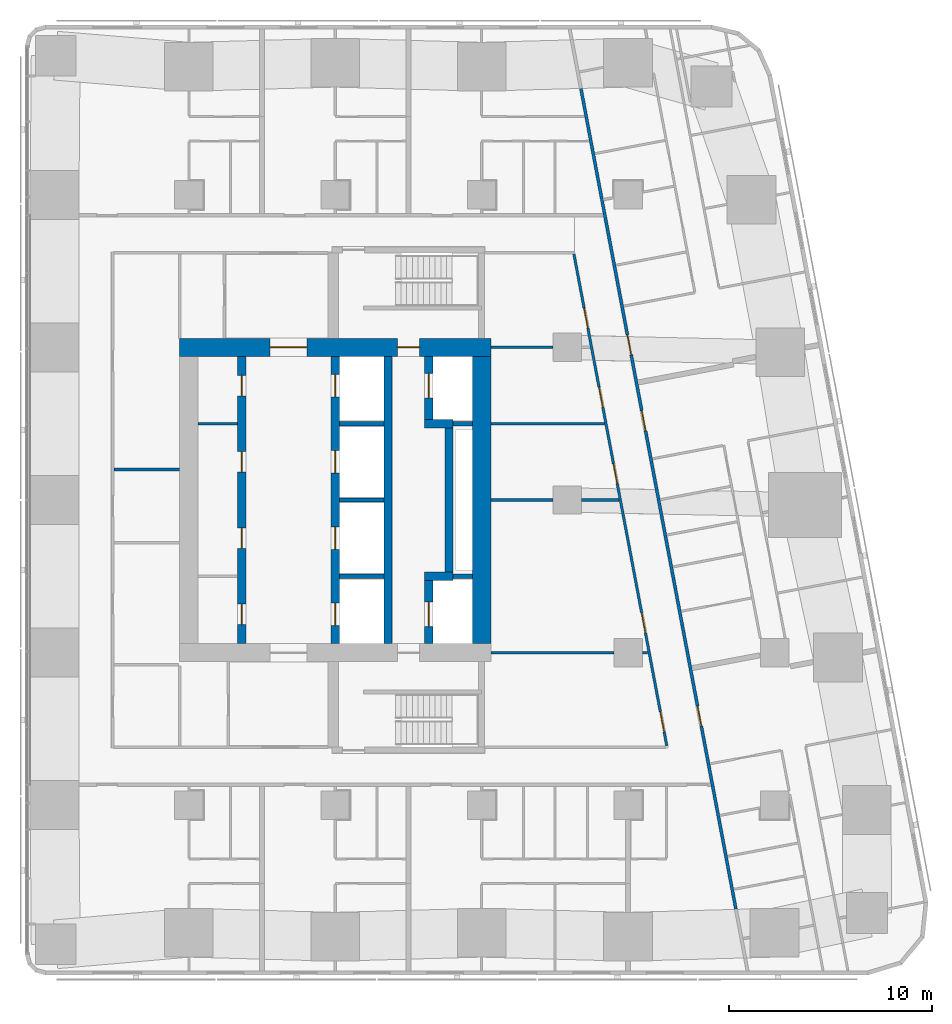
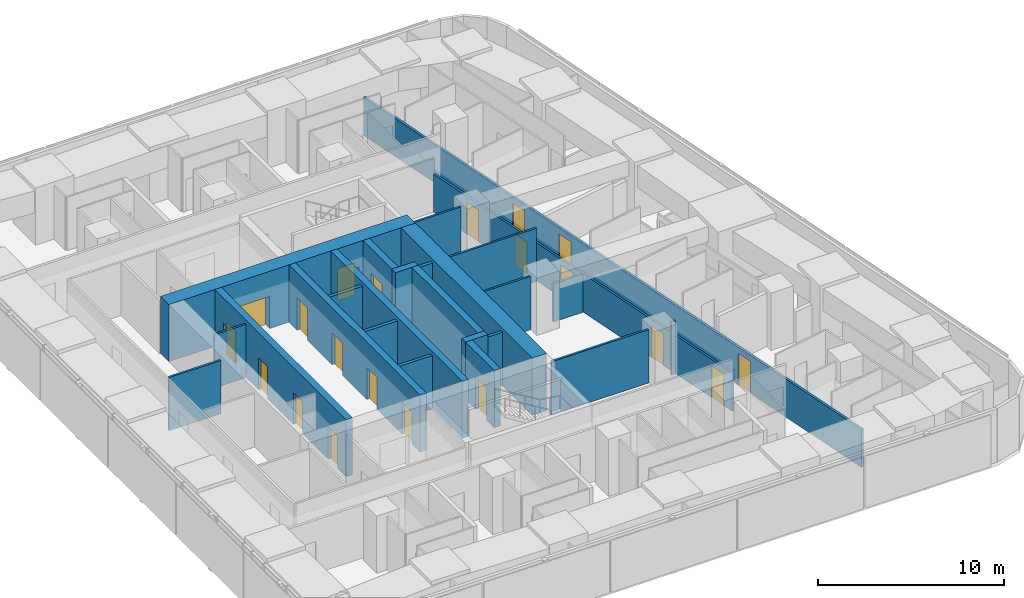
# One storey, part 9 of 17: 25 walls, 20 doors, 20 openings.
"""IFC4 building model written with IfcOpenShell, lengths in metres."""

from ifc_helpers import new_model, si_unit, direction, frame, frame_2d, origin, place, context, subcontext, project, spatial, rectangle, extrude, material, layer, layer_set, type_object, element, fill, save


model = new_model("IFC4")

# Units and contexts
model_context = context("Model", 3, precision=1e-05, world=origin(), true_north=direction((0.0, 1.0)))
body_context = subcontext(model_context, "Body", "Model", "MODEL_VIEW")
ifc_project = project(units=[si_unit("LENGTHUNIT", "METRE"), si_unit("AREAUNIT", "SQUARE_METRE"), si_unit("VOLUMEUNIT", "CUBIC_METRE"), si_unit("PLANEANGLEUNIT", "RADIAN"), si_unit("MASSUNIT", "GRAM", prefix="KILO")], contexts=[model_context])

# Site, building, storey
site_placement = place(None, origin())
site = spatial("IfcSite", under=ifc_project, at=site_placement, CompositionType="ELEMENT")
building_placement = place(site_placement, origin())
building = spatial("IfcBuilding", under=site, at=building_placement, Name="Sheger Commons Tower", CompositionType="ELEMENT")
storey_placement = place(building_placement, frame((0.0, 0.0, 212.449951171875)))
storey = spatial("IfcBuildingStorey", under=building, at=storey_placement, Name="L54", CompositionType="ELEMENT", Elevation=212.449951171875)

# Wall, openings, doors
ifc_material_1 = material(Name="Concrete C50/60", Category="concrete")
ifc_layer_1 = layer(ifc_material_1, 0.39990234375)
ifc_layer_set_1 = layer_set([ifc_layer_1], Name="CORE INNER WALL 400")
wall_type_1 = type_object("IfcWallType", Name="CORE INNER WALL 400", PredefinedType="SHEAR", material=ifc_layer_set_1)
wall_1_placement = place(storey_placement, frame((17.0, 15.449951171875, 0.0), z_axis=(0.0, 0.0, 1.0), x_axis=(0.0, 1.0, 0.0)))
wall_1 = element("IfcWall", 1, at=wall_1_placement, inside=storey, type_object=wall_type_1, Name="Core inner wall A L54", PredefinedType="SHEAR", context=body_context, shape_type="SweptSolid", body=[
    extrude(rectangle(XDim=14.10009765625, YDim=0.39990234375, at=frame_2d((7.050048828125, 0.0))), origin(), (0.0, 0.0, 1.0), 3.75),
])
opening_1_placement = place(wall_1_placement, frame((0.925048828125, 0.0, 0.0)))
opening_1 = element("IfcOpeningElement", 2, at=opening_1_placement, cuts=wall_1, Name="Opening D4", PredefinedType="OPENING", context=body_context, shape_type="SweptSolid", body=[
    extrude(rectangle(XDim=1.0, YDim=2.10009765625, at=frame_2d((0.5, 1.050048828125))), frame((0.0, 0.2099609375, 0.0), z_axis=(0.0, -1.0, 0.0), x_axis=(1.0, 0.0, 0.0)), (0.0, 0.0, 1.0), 0.419921875),
])
opening_2_placement = place(wall_1_placement, frame((4.675048828125, 0.0, 0.0)))
opening_2 = element("IfcOpeningElement", 3, at=opening_2_placement, cuts=wall_1, Name="Opening D4", PredefinedType="OPENING", context=body_context, shape_type="SweptSolid", body=[
    extrude(rectangle(XDim=1.0, YDim=2.10009765625, at=frame_2d((0.5, 1.050048828125))), frame((0.0, 0.2099609375, 0.0), z_axis=(0.0, -1.0, 0.0), x_axis=(1.0, 0.0, 0.0)), (0.0, 0.0, 1.0), 0.419921875),
])
opening_3_placement = place(wall_1_placement, frame((8.425048828125, 0.0, 0.0)))
opening_3 = element("IfcOpeningElement", 4, at=opening_3_placement, cuts=wall_1, Name="Opening D4", PredefinedType="OPENING", context=body_context, shape_type="SweptSolid", body=[
    extrude(rectangle(XDim=1.0, YDim=2.10009765625, at=frame_2d((0.5, 1.050048828125))), frame((0.0, 0.2099609375, 0.0), z_axis=(0.0, -1.0, 0.0), x_axis=(1.0, 0.0, 0.0)), (0.0, 0.0, 1.0), 0.419921875),
])
opening_4_placement = place(wall_1_placement, frame((12.175048828125, 0.0, 0.0)))
opening_4 = element("IfcOpeningElement", 5, at=opening_4_placement, cuts=wall_1, Name="Opening D4", PredefinedType="OPENING", context=body_context, shape_type="SweptSolid", body=[
    extrude(rectangle(XDim=1.0, YDim=2.10009765625, at=frame_2d((0.5, 1.050048828125))), frame((0.0, 0.2099609375, 0.0), z_axis=(0.0, -1.0, 0.0), x_axis=(1.0, 0.0, 0.0)), (0.0, 0.0, 1.0), 0.419921875),
])
ifc_material_2 = material(Name="Steel door set, fire rated", Category="steel")
door_type_1 = type_object("IfcDoorType", Name="SERVICE DOOR 1000x2100", OperationType="NOTDEFINED", PredefinedType="DOOR", material=ifc_material_2)
door_1_placement = place(opening_1_placement, origin())
door_1 = element("IfcDoor", 6, at=door_1_placement, inside=storey, type_object=door_type_1, Name="Staff WC door", OperationType="SINGLE_SWING_LEFT", OverallHeight=2.10009765625, OverallWidth=1.0, PredefinedType="DOOR", context=body_context, shape_type="SweptSolid", body=[
    extrude(rectangle(XDim=1.0, YDim=2.10009765625, at=frame_2d((0.5, 1.050048828125))), frame((0.0, 0.02490234375, 0.0), z_axis=(0.0, -1.0, 0.0), x_axis=(1.0, 0.0, 0.0)), (0.0, 0.0, 1.0), 0.050048828125),
])
fill(opening_1, door_1)
door_2_placement = place(opening_2_placement, origin())
door_2 = element("IfcDoor", 7, at=door_2_placement, inside=storey, type_object=door_type_1, Name="Recycling store door", OperationType="SINGLE_SWING_LEFT", OverallHeight=2.10009765625, OverallWidth=1.0, PredefinedType="DOOR", context=body_context, shape_type="SweptSolid", body=[
    extrude(rectangle(XDim=1.0, YDim=2.10009765625, at=frame_2d((0.5, 1.050048828125))), frame((0.0, 0.02490234375, 0.0), z_axis=(0.0, -1.0, 0.0), x_axis=(1.0, 0.0, 0.0)), (0.0, 0.0, 1.0), 0.050048828125),
])
fill(opening_2, door_2)
door_3_placement = place(opening_3_placement, origin())
door_3 = element("IfcDoor", 8, at=door_3_placement, inside=storey, type_object=door_type_1, Name="Recycling store door", OperationType="SINGLE_SWING_RIGHT", OverallHeight=2.10009765625, OverallWidth=1.0, PredefinedType="DOOR", context=body_context, shape_type="SweptSolid", body=[
    extrude(rectangle(XDim=1.0, YDim=2.10009765625, at=frame_2d((0.5, 1.050048828125))), frame((0.0, 0.02490234375, 0.0), z_axis=(0.0, -1.0, 0.0), x_axis=(1.0, 0.0, 0.0)), (0.0, 0.0, 1.0), 0.050048828125),
])
fill(opening_3, door_3)
door_4_placement = place(opening_4_placement, origin())
door_4 = element("IfcDoor", 9, at=door_4_placement, inside=storey, type_object=door_type_1, Name="IT and telecom room door", OperationType="SINGLE_SWING_RIGHT", OverallHeight=2.10009765625, OverallWidth=1.0, PredefinedType="DOOR", context=body_context, shape_type="SweptSolid", body=[
    extrude(rectangle(XDim=1.0, YDim=2.10009765625, at=frame_2d((0.5, 1.050048828125))), frame((0.0, 0.02490234375, 0.0), z_axis=(0.0, -1.0, 0.0), x_axis=(1.0, 0.0, 0.0)), (0.0, 0.0, 1.0), 0.050048828125),
])
fill(opening_4, door_4)

wall_2_placement = place(storey_placement, frame((21.60009765625, 15.449951171875, 0.0), z_axis=(0.0, 0.0, 1.0), x_axis=(0.0, 1.0, 0.0)))
wall_2 = element("IfcWall", 10, at=wall_2_placement, inside=storey, type_object=wall_type_1, Name="Core inner wall L L54", PredefinedType="SHEAR", context=body_context, shape_type="SweptSolid", body=[
    extrude(rectangle(XDim=14.10009765625, YDim=0.39990234375, at=frame_2d((7.050048828125, 0.0))), origin(), (0.0, 0.0, 1.0), 3.75),
])
opening_5_placement = place(wall_2_placement, frame((0.875, 0.0, 0.0)))
opening_5 = element("IfcOpeningElement", 11, at=opening_5_placement, cuts=wall_2, Name="Opening LD", PredefinedType="OPENING", context=body_context, shape_type="SweptSolid", body=[
    extrude(rectangle(XDim=1.10009765625, YDim=2.10009765625, at=frame_2d((0.550048828125, 1.050048828125))), frame((0.0, 0.2099609375, 0.0), z_axis=(0.0, -1.0, 0.0), x_axis=(1.0, 0.0, 0.0)), (0.0, 0.0, 1.0), 0.419921875),
])
opening_6_placement = place(wall_2_placement, frame((4.625, 0.0, 0.0)))
opening_6 = element("IfcOpeningElement", 12, at=opening_6_placement, cuts=wall_2, Name="Opening LD", PredefinedType="OPENING", context=body_context, shape_type="SweptSolid", body=[
    extrude(rectangle(XDim=1.10009765625, YDim=2.10009765625, at=frame_2d((0.550048828125, 1.050048828125))), frame((0.0, 0.2099609375, 0.0), z_axis=(0.0, -1.0, 0.0), x_axis=(1.0, 0.0, 0.0)), (0.0, 0.0, 1.0), 0.419921875),
])
opening_7_placement = place(wall_2_placement, frame((8.375, 0.0, 0.0)))
opening_7 = element("IfcOpeningElement", 13, at=opening_7_placement, cuts=wall_2, Name="Opening LD", PredefinedType="OPENING", context=body_context, shape_type="SweptSolid", body=[
    extrude(rectangle(XDim=1.10009765625, YDim=2.10009765625, at=frame_2d((0.550048828125, 1.050048828125))), frame((0.0, 0.2099609375, 0.0), z_axis=(0.0, -1.0, 0.0), x_axis=(1.0, 0.0, 0.0)), (0.0, 0.0, 1.0), 0.419921875),
])
opening_8_placement = place(wall_2_placement, frame((12.125, 0.0, 0.0)))
opening_8 = element("IfcOpeningElement", 14, at=opening_8_placement, cuts=wall_2, Name="Opening LD", PredefinedType="OPENING", context=body_context, shape_type="SweptSolid", body=[
    extrude(rectangle(XDim=1.10009765625, YDim=2.10009765625, at=frame_2d((0.550048828125, 1.050048828125))), frame((0.0, 0.2099609375, 0.0), z_axis=(0.0, -1.0, 0.0), x_axis=(1.0, 0.0, 0.0)), (0.0, 0.0, 1.0), 0.419921875),
])
ifc_material_3 = material(Name="Steel door set, fire rated", Category="steel")
door_type_2 = type_object("IfcDoorType", Name="LIFT LANDING DOOR 1100x2100", OperationType="DOUBLE_DOOR_SLIDING", PredefinedType="DOOR", material=ifc_material_3)
door_5_placement = place(opening_5_placement, origin())
door_5 = element("IfcDoor", 15, at=door_5_placement, inside=storey, type_object=door_type_2, Name="Lift LB1 landing door", OperationType="DOUBLE_DOOR_SLIDING", OverallHeight=2.10009765625, OverallWidth=1.10009765625, PredefinedType="DOOR", context=body_context, shape_type="SweptSolid", body=[
    extrude(rectangle(XDim=1.10009765625, YDim=2.10009765625, at=frame_2d((0.550048828125, 1.050048828125))), frame((0.0, 0.02490234375, 0.0), z_axis=(0.0, -1.0, 0.0), x_axis=(1.0, 0.0, 0.0)), (0.0, 0.0, 1.0), 0.050048828125),
])
fill(opening_5, door_5)
door_6_placement = place(opening_6_placement, origin())
door_6 = element("IfcDoor", 16, at=door_6_placement, inside=storey, type_object=door_type_2, Name="Lift LB2 landing door", OperationType="DOUBLE_DOOR_SLIDING", OverallHeight=2.10009765625, OverallWidth=1.10009765625, PredefinedType="DOOR", context=body_context, shape_type="SweptSolid", body=[
    extrude(rectangle(XDim=1.10009765625, YDim=2.10009765625, at=frame_2d((0.550048828125, 1.050048828125))), frame((0.0, 0.02490234375, 0.0), z_axis=(0.0, -1.0, 0.0), x_axis=(1.0, 0.0, 0.0)), (0.0, 0.0, 1.0), 0.050048828125),
])
fill(opening_6, door_6)
door_7_placement = place(opening_7_placement, origin())
door_7 = element("IfcDoor", 17, at=door_7_placement, inside=storey, type_object=door_type_2, Name="Lift LB3 landing door", OperationType="DOUBLE_DOOR_SLIDING", OverallHeight=2.10009765625, OverallWidth=1.10009765625, PredefinedType="DOOR", context=body_context, shape_type="SweptSolid", body=[
    extrude(rectangle(XDim=1.10009765625, YDim=2.10009765625, at=frame_2d((0.550048828125, 1.050048828125))), frame((0.0, 0.02490234375, 0.0), z_axis=(0.0, -1.0, 0.0), x_axis=(1.0, 0.0, 0.0)), (0.0, 0.0, 1.0), 0.050048828125),
])
fill(opening_7, door_7)
door_8_placement = place(opening_8_placement, origin())
door_8 = element("IfcDoor", 18, at=door_8_placement, inside=storey, type_object=door_type_2, Name="Lift LB4 landing door", OperationType="DOUBLE_DOOR_SLIDING", OverallHeight=2.10009765625, OverallWidth=1.10009765625, PredefinedType="DOOR", context=body_context, shape_type="SweptSolid", body=[
    extrude(rectangle(XDim=1.10009765625, YDim=2.10009765625, at=frame_2d((0.550048828125, 1.050048828125))), frame((0.0, 0.02490234375, 0.0), z_axis=(0.0, -1.0, 0.0), x_axis=(1.0, 0.0, 0.0)), (0.0, 0.0, 1.0), 0.050048828125),
])
fill(opening_8, door_8)

# Wall
wall_3_placement = place(storey_placement, frame((24.199951171875, 15.449951171875, 0.0), z_axis=(0.0, 0.0, 1.0), x_axis=(0.0, 1.0, 0.0)))
element("IfcWall", 19, at=wall_3_placement, inside=storey, type_object=wall_type_1, Name="Core inner wall B L54", PredefinedType="SHEAR", context=body_context, shape_type="SweptSolid", body=[
    extrude(rectangle(XDim=14.10009765625, YDim=0.39990234375, at=frame_2d((7.050048828125, 0.0))), origin(), (0.0, 0.0, 1.0), 3.75),
])

# Wall, opening, door
wall_4_placement = place(storey_placement, frame((26.199951171875, 15.449951171875, 0.0), z_axis=(0.0, 0.0, 1.0), x_axis=(0.0, 1.0, 0.0)))
wall_4 = element("IfcWall", 20, at=wall_4_placement, inside=storey, type_object=wall_type_1, Name="Core inner wall F L54", PredefinedType="SHEAR", context=body_context, shape_type="SweptSolid", body=[
    extrude(rectangle(XDim=3.10009765625, YDim=0.39990234375, at=frame_2d((1.550048828125, 0.0))), origin(), (0.0, 0.0, 1.0), 3.75),
])
opening_9_placement = place(wall_4_placement, frame((0.824951171875, 0.0, 0.0)))
opening_9 = element("IfcOpeningElement", 21, at=opening_9_placement, cuts=wall_4, Name="Opening LD2", PredefinedType="OPENING", context=body_context, shape_type="SweptSolid", body=[
    extrude(rectangle(XDim=1.199951171875, YDim=2.10009765625, at=frame_2d((0.60009765625, 1.050048828125))), frame((0.0, 0.2099609375, 0.0), z_axis=(0.0, -1.0, 0.0), x_axis=(1.0, 0.0, 0.0)), (0.0, 0.0, 1.0), 0.419921875),
])
ifc_material_4 = material(Name="Steel door set, fire rated", Category="steel")
door_type_3 = type_object("IfcDoorType", Name="FIREFIGHTING LIFT LANDING DOOR 1200x2100", OperationType="DOUBLE_DOOR_SLIDING", PredefinedType="DOOR", material=ifc_material_4)
door_9_placement = place(opening_9_placement, origin())
door_9 = element("IfcDoor", 22, at=door_9_placement, inside=storey, type_object=door_type_3, Name="Lift FL1 landing door", OperationType="DOUBLE_DOOR_SLIDING", OverallHeight=2.10009765625, OverallWidth=1.199951171875, PredefinedType="DOOR", context=body_context, shape_type="SweptSolid", body=[
    extrude(rectangle(XDim=1.199951171875, YDim=2.10009765625, at=frame_2d((0.60009765625, 1.050048828125))), frame((0.0, 0.02490234375, 0.0), z_axis=(0.0, -1.0, 0.0), x_axis=(1.0, 0.0, 0.0)), (0.0, 0.0, 1.0), 0.050048828125),
])
fill(opening_9, door_9)

# Walls
wall_5_placement = place(storey_placement, frame((26.0, 18.75, 0.0), z_axis=(0.0, 0.0, 1.0), x_axis=(1.0, 0.0, 0.0)))
element("IfcWall", 23, at=wall_5_placement, inside=storey, type_object=wall_type_1, Name="Core inner wall F south return L54", PredefinedType="SHEAR", context=body_context, shape_type="SweptSolid", body=[
    extrude(rectangle(XDim=1.39990234375, YDim=0.39990234375, at=frame_2d((0.699951171875, 0.0))), origin(), (0.0, 0.0, 1.0), 3.75),
])
wall_6_placement = place(storey_placement, frame((27.199951171875, 18.949951171875, 0.0), z_axis=(0.0, 0.0, 1.0), x_axis=(0.0, 1.0, 0.0)))
element("IfcWall", 24, at=wall_6_placement, inside=storey, type_object=wall_type_1, Name="Core inner wall F middle L54", PredefinedType="SHEAR", context=body_context, shape_type="SweptSolid", body=[
    extrude(rectangle(XDim=7.10009765625, YDim=0.39990234375, at=frame_2d((3.550048828125, 0.0))), origin(), (0.0, 0.0, 1.0), 3.75),
])
wall_7_placement = place(storey_placement, frame((26.0, 26.25, 0.0), z_axis=(0.0, 0.0, 1.0), x_axis=(1.0, 0.0, 0.0)))
element("IfcWall", 25, at=wall_7_placement, inside=storey, type_object=wall_type_1, Name="Core inner wall F north return L54", PredefinedType="SHEAR", context=body_context, shape_type="SweptSolid", body=[
    extrude(rectangle(XDim=1.39990234375, YDim=0.39990234375, at=frame_2d((0.699951171875, 0.0))), origin(), (0.0, 0.0, 1.0), 3.75),
])

# Wall, opening, door
wall_8_placement = place(storey_placement, frame((26.199951171875, 26.449951171875, 0.0), z_axis=(0.0, 0.0, 1.0), x_axis=(0.0, 1.0, 0.0)))
wall_8 = element("IfcWall", 26, at=wall_8_placement, inside=storey, type_object=wall_type_1, Name="Core inner wall F north L54", PredefinedType="SHEAR", context=body_context, shape_type="SweptSolid", body=[
    extrude(rectangle(XDim=3.10009765625, YDim=0.39990234375, at=frame_2d((1.550048828125, 0.0))), origin(), (0.0, 0.0, 1.0), 3.75),
])
opening_10_placement = place(wall_8_placement, frame((1.074951171875, 0.0, 0.0)))
opening_10 = element("IfcOpeningElement", 27, at=opening_10_placement, cuts=wall_8, Name="Opening LD2", PredefinedType="OPENING", context=body_context, shape_type="SweptSolid", body=[
    extrude(rectangle(XDim=1.199951171875, YDim=2.10009765625, at=frame_2d((0.60009765625, 1.050048828125))), frame((0.0, 0.2099609375, 0.0), z_axis=(0.0, -1.0, 0.0), x_axis=(1.0, 0.0, 0.0)), (0.0, 0.0, 1.0), 0.419921875),
])
door_10_placement = place(opening_10_placement, origin())
door_10 = element("IfcDoor", 28, at=door_10_placement, inside=storey, type_object=door_type_3, Name="Lift FL2 landing door", OperationType="DOUBLE_DOOR_SLIDING", OverallHeight=2.10009765625, OverallWidth=1.199951171875, PredefinedType="DOOR", context=body_context, shape_type="SweptSolid", body=[
    extrude(rectangle(XDim=1.199951171875, YDim=2.10009765625, at=frame_2d((0.60009765625, 1.050048828125))), frame((0.0, 0.02490234375, 0.0), z_axis=(0.0, -1.0, 0.0), x_axis=(1.0, 0.0, 0.0)), (0.0, 0.0, 1.0), 0.050048828125),
])
fill(opening_10, door_10)

# Wall, openings, doors
ifc_material_5 = material(Name="Concrete C50/60", Category="concrete")
ifc_layer_2 = layer(ifc_material_5, 0.89990234375)
ifc_layer_set_2 = layer_set([ifc_layer_2], Name="CORE WALL 900")
wall_type_2 = type_object("IfcWallType", Name="CORE WALL 900", PredefinedType="SHEAR", material=ifc_layer_set_2)
wall_9_placement = place(storey_placement, frame((13.949951171875, 30.0, 0.0), z_axis=(0.0, 0.0, 1.0), x_axis=(1.0, 0.0, 0.0)))
wall_9 = element("IfcWall", 29, at=wall_9_placement, inside=storey, type_object=wall_type_2, Name="Core wall north L54", PredefinedType="SHEAR", context=body_context, shape_type="SweptSolid", body=[
    extrude(rectangle(XDim=15.300048828125, YDim=0.89990234375, at=frame_2d((7.64990234375, 0.0))), origin(), (0.0, 0.0, 1.0), 3.75),
])
opening_11_placement = place(wall_9_placement, frame((4.449951171875, 0.0, 0.0)))
opening_11 = element("IfcOpeningElement", 30, at=opening_11_placement, cuts=wall_9, Name="Opening D6", PredefinedType="OPENING", context=body_context, shape_type="SweptSolid", body=[
    extrude(rectangle(XDim=1.800048828125, YDim=2.10009765625, at=frame_2d((0.89990234375, 1.050048828125))), frame((0.0, 0.4599609375, 0.0), z_axis=(0.0, -1.0, 0.0), x_axis=(1.0, 0.0, 0.0)), (0.0, 0.0, 1.0), 0.919921875),
])
opening_12_placement = place(wall_9_placement, frame((10.699951171875, 0.0, 0.0)))
opening_12 = element("IfcOpeningElement", 31, at=opening_12_placement, cuts=wall_9, Name="Opening D5", PredefinedType="OPENING", context=body_context, shape_type="SweptSolid", body=[
    extrude(rectangle(XDim=1.10009765625, YDim=2.10009765625, at=frame_2d((0.550048828125, 1.050048828125))), frame((0.0, 0.4599609375, 0.0), z_axis=(0.0, -1.0, 0.0), x_axis=(1.0, 0.0, 0.0)), (0.0, 0.0, 1.0), 0.919921875),
])
ifc_material_6 = material(Name="Steel door set, fire rated", Category="steel")
door_type_4 = type_object("IfcDoorType", Name="LOBBY DOUBLE DOOR 1800x2100", OperationType="DOUBLE_DOOR_SINGLE_SWING", PredefinedType="DOOR", material=ifc_material_6)
door_11_placement = place(opening_11_placement, origin())
door_11 = element("IfcDoor", 32, at=door_11_placement, inside=storey, type_object=door_type_4, Name="Lift lobby door", OperationType="DOUBLE_DOOR_SINGLE_SWING", OverallHeight=2.10009765625, OverallWidth=1.800048828125, PredefinedType="DOOR", context=body_context, shape_type="SweptSolid", body=[
    extrude(rectangle(XDim=1.800048828125, YDim=2.10009765625, at=frame_2d((0.89990234375, 1.050048828125))), frame((0.0, 0.02490234375, 0.0), z_axis=(0.0, -1.0, 0.0), x_axis=(1.0, 0.0, 0.0)), (0.0, 0.0, 1.0), 0.050048828125),
])
fill(opening_11, door_11)
ifc_material_7 = material(Name="Steel door set, fire rated", Category="steel")
door_type_5 = type_object("IfcDoorType", Name="STAIR DOOR 1100x2100", OperationType="NOTDEFINED", PredefinedType="DOOR", material=ifc_material_7)
door_12_placement = place(opening_12_placement, origin())
door_12 = element("IfcDoor", 33, at=door_12_placement, inside=storey, type_object=door_type_5, Name="Fire-fighting lobby door", OperationType="SINGLE_SWING_LEFT", OverallHeight=2.10009765625, OverallWidth=1.10009765625, PredefinedType="DOOR", context=body_context, shape_type="SweptSolid", body=[
    extrude(rectangle(XDim=1.10009765625, YDim=2.10009765625, at=frame_2d((0.550048828125, 1.050048828125))), frame((0.0, 0.02490234375, 0.0), z_axis=(0.0, -1.0, 0.0), x_axis=(1.0, 0.0, 0.0)), (0.0, 0.0, 1.0), 0.050048828125),
])
fill(opening_12, door_12)

# Wall
wall_10_placement = place(storey_placement, frame((28.800048828125, 15.449951171875, 0.0), z_axis=(0.0, 0.0, 1.0), x_axis=(0.0, 1.0, 0.0)))
element("IfcWall", 34, at=wall_10_placement, inside=storey, type_object=wall_type_2, Name="Core wall east L54", PredefinedType="SHEAR", context=body_context, shape_type="SweptSolid", body=[
    extrude(rectangle(XDim=14.10009765625, YDim=0.89990234375, at=frame_2d((7.050048828125, 0.0))), origin(), (0.0, 0.0, 1.0), 3.75),
])

# Wall, openings, doors
ifc_material_8 = material(Name="Hollow concrete block masonry, skimmed both sides", Category="masonry")
ifc_layer_3 = layer(ifc_material_8, 0.14990234375)
ifc_layer_set_3 = layer_set([ifc_layer_3], Name="CORRIDOR WALL 150")
wall_type_3 = type_object("IfcWallType", Name="CORRIDOR WALL 150", PredefinedType="SOLIDWALL", material=ifc_layer_set_3)
wall_11_placement = place(storey_placement, frame((33.679931640625, 42.722900390625, 0.0), z_axis=(0.0, 0.0, 1.0), x_axis=(0.185601160014, -0.982625162207, 0.0)))
wall_11 = element("IfcWall", 35, at=wall_11_placement, inside=storey, type_object=wall_type_3, Name="Corridor wall L54", PredefinedType="SOLIDWALL", context=body_context, shape_type="SweptSolid", body=[
    extrude(rectangle(XDim=41.05126953125, YDim=0.14990234375, at=frame_2d((20.525634765625, 0.0))), origin(), (0.0, 0.0, 1.0), 2.5),
])
opening_13_placement = place(wall_11_placement, frame((12.306884765625, 0.0, 0.0)))
opening_13 = element("IfcOpeningElement", 36, at=opening_13_placement, cuts=wall_11, Name="Opening D1", PredefinedType="OPENING", context=body_context, shape_type="SweptSolid", body=[
    extrude(rectangle(XDim=1.0, YDim=2.10009765625, at=frame_2d((0.5, 1.050048828125))), frame((0.0, 0.0849609375, 0.0), z_axis=(0.0, -1.0, 0.0), x_axis=(1.0, 0.0, 0.0)), (0.0, 0.0, 1.0), 0.169921875),
])
opening_14_placement = place(wall_11_placement, frame((16.123046875, 0.0, 0.0)))
opening_14 = element("IfcOpeningElement", 37, at=opening_14_placement, cuts=wall_11, Name="Opening D1", PredefinedType="OPENING", context=body_context, shape_type="SweptSolid", body=[
    extrude(rectangle(XDim=1.0, YDim=2.10009765625, at=frame_2d((0.5, 1.050048828125))), frame((0.0, 0.0849609375, 0.0), z_axis=(0.0, -1.0, 0.0), x_axis=(1.0, 0.0, 0.0)), (0.0, 0.0, 1.0), 0.169921875),
])
opening_15_placement = place(wall_11_placement, frame((30.902099609375, 0.0, 0.0)))
opening_15 = element("IfcOpeningElement", 38, at=opening_15_placement, cuts=wall_11, Name="Opening D1", PredefinedType="OPENING", context=body_context, shape_type="SweptSolid", body=[
    extrude(rectangle(XDim=1.0, YDim=2.10009765625, at=frame_2d((0.5, 1.050048828125))), frame((0.0, 0.0849609375, 0.0), z_axis=(0.0, -1.0, 0.0), x_axis=(1.0, 0.0, 0.0)), (0.0, 0.0, 1.0), 0.169921875),
])
ifc_material_9 = material(Name="Steel door set, fire rated", Category="steel")
door_type_6 = type_object("IfcDoorType", Name="FLAT ENTRANCE DOOR 1000x2100", OperationType="NOTDEFINED", PredefinedType="DOOR", material=ifc_material_9)
door_13_placement = place(opening_13_placement, origin())
door_13 = element("IfcDoor", 39, at=door_13_placement, inside=storey, type_object=door_type_6, Name="Flat entrance door", OperationType="SINGLE_SWING_RIGHT", OverallHeight=2.10009765625, OverallWidth=1.0, PredefinedType="DOOR", context=body_context, shape_type="SweptSolid", body=[
    extrude(rectangle(XDim=1.0, YDim=2.10009765625, at=frame_2d((0.5, 1.050048828125))), frame((0.0, 0.02490234375, 0.0), z_axis=(0.0, -1.0, 0.0), x_axis=(1.0, 0.0, 0.0)), (0.0, 0.0, 1.0), 0.050048828125),
])
fill(opening_13, door_13)
door_14_placement = place(opening_14_placement, origin())
door_14 = element("IfcDoor", 40, at=door_14_placement, inside=storey, type_object=door_type_6, Name="Flat entrance door", OperationType="SINGLE_SWING_LEFT", OverallHeight=2.10009765625, OverallWidth=1.0, PredefinedType="DOOR", context=body_context, shape_type="SweptSolid", body=[
    extrude(rectangle(XDim=1.0, YDim=2.10009765625, at=frame_2d((0.5, 1.050048828125))), frame((0.0, 0.02490234375, 0.0), z_axis=(0.0, -1.0, 0.0), x_axis=(1.0, 0.0, 0.0)), (0.0, 0.0, 1.0), 0.050048828125),
])
fill(opening_14, door_14)
door_15_placement = place(opening_15_placement, origin())
door_15 = element("IfcDoor", 41, at=door_15_placement, inside=storey, type_object=door_type_6, Name="Flat entrance door", OperationType="SINGLE_SWING_LEFT", OverallHeight=2.10009765625, OverallWidth=1.0, PredefinedType="DOOR", context=body_context, shape_type="SweptSolid", body=[
    extrude(rectangle(XDim=1.0, YDim=2.10009765625, at=frame_2d((0.5, 1.050048828125))), frame((0.0, 0.02490234375, 0.0), z_axis=(0.0, -1.0, 0.0), x_axis=(1.0, 0.0, 0.0)), (0.0, 0.0, 1.0), 0.050048828125),
])
fill(opening_15, door_15)

# Wall
ifc_material_10 = material(Name="Gypsum board on steel studs, two layers each side, fire rated", Category="steel")
ifc_layer_4 = layer(ifc_material_10, 0.125)
ifc_layer_set_4 = layer_set([ifc_layer_4], Name="SERVICE WALL 125")
wall_type_4 = type_object("IfcWallType", Name="SERVICE WALL 125", PredefinedType="PARTITIONING", material=ifc_layer_set_4)
wall_12_placement = place(storey_placement, frame((10.712890625, 24.0, 0.0), z_axis=(0.0, 0.0, 1.0), x_axis=(1.0, 0.0, 0.0)))
element("IfcWall", 42, at=wall_12_placement, inside=storey, type_object=wall_type_4, Name="Service room wall L54", PredefinedType="PARTITIONING", context=body_context, shape_type="SweptSolid", body=[
    extrude(rectangle(XDim=3.237060546875, YDim=0.125, at=frame_2d((1.61865234375, 0.0))), origin(), (0.0, 0.0, 1.0), 3.5),
])

# Wall, openings, doors
wall_13_placement = place(storey_placement, frame((37.89990234375, 10.4130859375, 0.0), z_axis=(0.0, 0.0, 1.0), x_axis=(-0.185589740669, 0.982627319058, 0.0)))
wall_13 = element("IfcWall", 43, at=wall_13_placement, inside=storey, type_object=wall_type_4, Name="Service room wall L54", PredefinedType="PARTITIONING", context=body_context, shape_type="SweptSolid", body=[
    extrude(rectangle(XDim=24.602294921875, YDim=0.125, at=frame_2d((12.30126953125, 0.0))), origin(), (0.0, 0.0, 1.0), 2.5),
])
opening_16_placement = place(wall_13_placement, frame((0.7080078125, 0.0, 0.0)))
opening_16 = element("IfcOpeningElement", 44, at=opening_16_placement, cuts=wall_13, Name="Opening D4", PredefinedType="OPENING", context=body_context, shape_type="SweptSolid", body=[
    extrude(rectangle(XDim=1.0, YDim=2.10009765625, at=frame_2d((0.5, 1.050048828125))), frame((0.0, 0.072509765625, 0.0), z_axis=(0.0, -1.0, 0.0), x_axis=(1.0, 0.0, 0.0)), (0.0, 0.0, 1.0), 0.14501953125),
])
opening_17_placement = place(wall_13_placement, frame((5.64990234375, 0.0, 0.0)))
opening_17 = element("IfcOpeningElement", 45, at=opening_17_placement, cuts=wall_13, Name="Opening D4", PredefinedType="OPENING", context=body_context, shape_type="SweptSolid", body=[
    extrude(rectangle(XDim=1.0, YDim=2.10009765625, at=frame_2d((0.5, 1.050048828125))), frame((0.0, 0.072509765625, 0.0), z_axis=(0.0, -1.0, 0.0), x_axis=(1.0, 0.0, 0.0)), (0.0, 0.0, 1.0), 0.14501953125),
])
opening_18_placement = place(wall_13_placement, frame((13.1240234375, 0.0, 0.0)))
opening_18 = element("IfcOpeningElement", 46, at=opening_18_placement, cuts=wall_13, Name="Opening D4", PredefinedType="OPENING", context=body_context, shape_type="SweptSolid", body=[
    extrude(rectangle(XDim=1.0, YDim=2.10009765625, at=frame_2d((0.5, 1.050048828125))), frame((0.0, 0.072509765625, 0.0), z_axis=(0.0, -1.0, 0.0), x_axis=(1.0, 0.0, 0.0)), (0.0, 0.0, 1.0), 0.14501953125),
])
opening_19_placement = place(wall_13_placement, frame((16.93994140625, 0.0, 0.0)))
opening_19 = element("IfcOpeningElement", 47, at=opening_19_placement, cuts=wall_13, Name="Opening D4", PredefinedType="OPENING", context=body_context, shape_type="SweptSolid", body=[
    extrude(rectangle(XDim=1.0, YDim=2.10009765625, at=frame_2d((0.5, 1.050048828125))), frame((0.0, 0.072509765625, 0.0), z_axis=(0.0, -1.0, 0.0), x_axis=(1.0, 0.0, 0.0)), (0.0, 0.0, 1.0), 0.14501953125),
])
opening_20_placement = place(wall_13_placement, frame((20.89990234375, 0.0, 0.0)))
opening_20 = element("IfcOpeningElement", 48, at=opening_20_placement, cuts=wall_13, Name="Opening D4", PredefinedType="OPENING", context=body_context, shape_type="SweptSolid", body=[
    extrude(rectangle(XDim=1.0, YDim=2.10009765625, at=frame_2d((0.5, 1.050048828125))), frame((0.0, 0.072509765625, 0.0), z_axis=(0.0, -1.0, 0.0), x_axis=(1.0, 0.0, 0.0)), (0.0, 0.0, 1.0), 0.14501953125),
])
door_16_placement = place(opening_16_placement, origin())
door_16 = element("IfcDoor", 49, at=door_16_placement, inside=storey, type_object=door_type_1, Name="Residents' meeting room door", OperationType="SINGLE_SWING_LEFT", OverallHeight=2.10009765625, OverallWidth=1.0, PredefinedType="DOOR", context=body_context, shape_type="SweptSolid", body=[
    extrude(rectangle(XDim=1.0, YDim=2.10009765625, at=frame_2d((0.5, 1.050048828125))), frame((0.0, 0.02490234375, 0.0), z_axis=(0.0, -1.0, 0.0), x_axis=(1.0, 0.0, 0.0)), (0.0, 0.0, 1.0), 0.050048828125),
])
fill(opening_16, door_16)
door_17_placement = place(opening_17_placement, origin())
door_17 = element("IfcDoor", 50, at=door_17_placement, inside=storey, type_object=door_type_1, Name="Children's play room door", OperationType="SINGLE_SWING_LEFT", OverallHeight=2.10009765625, OverallWidth=1.0, PredefinedType="DOOR", context=body_context, shape_type="SweptSolid", body=[
    extrude(rectangle(XDim=1.0, YDim=2.10009765625, at=frame_2d((0.5, 1.050048828125))), frame((0.0, 0.02490234375, 0.0), z_axis=(0.0, -1.0, 0.0), x_axis=(1.0, 0.0, 0.0)), (0.0, 0.0, 1.0), 0.050048828125),
])
fill(opening_17, door_17)
door_18_placement = place(opening_18_placement, origin())
door_18 = element("IfcDoor", 51, at=door_18_placement, inside=storey, type_object=door_type_1, Name="Caretaker's store door", OperationType="SINGLE_SWING_LEFT", OverallHeight=2.10009765625, OverallWidth=1.0, PredefinedType="DOOR", context=body_context, shape_type="SweptSolid", body=[
    extrude(rectangle(XDim=1.0, YDim=2.10009765625, at=frame_2d((0.5, 1.050048828125))), frame((0.0, 0.02490234375, 0.0), z_axis=(0.0, -1.0, 0.0), x_axis=(1.0, 0.0, 0.0)), (0.0, 0.0, 1.0), 0.050048828125),
])
fill(opening_18, door_18)
door_19_placement = place(opening_19_placement, origin())
door_19 = element("IfcDoor", 52, at=door_19_placement, inside=storey, type_object=door_type_1, Name="Residents' store door", OperationType="SINGLE_SWING_LEFT", OverallHeight=2.10009765625, OverallWidth=1.0, PredefinedType="DOOR", context=body_context, shape_type="SweptSolid", body=[
    extrude(rectangle(XDim=1.0, YDim=2.10009765625, at=frame_2d((0.5, 1.050048828125))), frame((0.0, 0.02490234375, 0.0), z_axis=(0.0, -1.0, 0.0), x_axis=(1.0, 0.0, 0.0)), (0.0, 0.0, 1.0), 0.050048828125),
])
fill(opening_19, door_19)
door_20_placement = place(opening_20_placement, origin())
door_20 = element("IfcDoor", 53, at=door_20_placement, inside=storey, type_object=door_type_1, Name="Parcel and delivery room door", OperationType="SINGLE_SWING_LEFT", OverallHeight=2.10009765625, OverallWidth=1.0, PredefinedType="DOOR", context=body_context, shape_type="SweptSolid", body=[
    extrude(rectangle(XDim=1.0, YDim=2.10009765625, at=frame_2d((0.5, 1.050048828125))), frame((0.0, 0.02490234375, 0.0), z_axis=(0.0, -1.0, 0.0), x_axis=(1.0, 0.0, 0.0)), (0.0, 0.0, 1.0), 0.050048828125),
])
fill(opening_20, door_20)

# Walls
wall_14_placement = place(storey_placement, frame((29.25, 15.0, 0.0), z_axis=(0.0, 0.0, 1.0), x_axis=(1.0, 0.0, 0.0)))
element("IfcWall", 54, at=wall_14_placement, inside=storey, type_object=wall_type_4, Name="Service room wall L54", PredefinedType="PARTITIONING", context=body_context, shape_type="SweptSolid", body=[
    extrude(rectangle(XDim=6.049072265625, YDim=0.125, at=frame_2d((3.0244140625, 0.0))), origin(), (0.0, 0.0, 1.0), 3.5),
])
wall_15_placement = place(storey_placement, frame((36.700927734375, 15.0, 0.0), z_axis=(0.0, 0.0, 1.0), x_axis=(1.0, 0.0, 0.0)))
element("IfcWall", 55, at=wall_15_placement, inside=storey, type_object=wall_type_4, Name="Service room wall L54", PredefinedType="PARTITIONING", context=body_context, shape_type="SweptSolid", body=[
    extrude(rectangle(XDim=0.257080078125, YDim=0.125, at=frame_2d((0.12841796875, 0.0))), origin(), (0.0, 0.0, 1.0), 3.5),
])
wall_16_placement = place(storey_placement, frame((29.25, 22.5, 0.0), z_axis=(0.0, 0.0, 1.0), x_axis=(1.0, 0.0, 0.0)))
element("IfcWall", 56, at=wall_16_placement, inside=storey, type_object=wall_type_4, Name="Service room wall L54", PredefinedType="PARTITIONING", context=body_context, shape_type="SweptSolid", body=[
    extrude(rectangle(XDim=3.049072265625, YDim=0.125, at=frame_2d((1.5244140625, 0.0))), origin(), (0.0, 0.0, 1.0), 3.5),
])
wall_17_placement = place(storey_placement, frame((33.700927734375, 22.5, 0.0), z_axis=(0.0, 0.0, 1.0), x_axis=(1.0, 0.0, 0.0)))
element("IfcWall", 57, at=wall_17_placement, inside=storey, type_object=wall_type_4, Name="Service room wall L54", PredefinedType="PARTITIONING", context=body_context, shape_type="SweptSolid", body=[
    extrude(rectangle(XDim=1.841064453125, YDim=0.125, at=frame_2d((0.92041015625, 0.0))), origin(), (0.0, 0.0, 1.0), 2.5),
])
wall_18_placement = place(storey_placement, frame((29.25, 26.25, 0.0), z_axis=(0.0, 0.0, 1.0), x_axis=(1.0, 0.0, 0.0)))
element("IfcWall", 58, at=wall_18_placement, inside=storey, type_object=wall_type_4, Name="Service room wall L54", PredefinedType="PARTITIONING", context=body_context, shape_type="SweptSolid", body=[
    extrude(rectangle(XDim=5.5830078125, YDim=0.125, at=frame_2d((2.79150390625, 0.0))), origin(), (0.0, 0.0, 1.0), 3.5),
])
wall_19_placement = place(storey_placement, frame((29.25, 30.0, 0.0), z_axis=(0.0, 0.0, 1.0), x_axis=(1.0, 0.0, 0.0)))
element("IfcWall", 59, at=wall_19_placement, inside=storey, type_object=wall_type_4, Name="Service room wall L54", PredefinedType="PARTITIONING", context=body_context, shape_type="SweptSolid", body=[
    extrude(rectangle(XDim=3.049072265625, YDim=0.125, at=frame_2d((1.5244140625, 0.0))), origin(), (0.0, 0.0, 1.0), 3.5),
])
wall_20_placement = place(storey_placement, frame((14.85009765625, 26.25, 0.0), z_axis=(0.0, 0.0, 1.0), x_axis=(1.0, 0.0, 0.0)))
element("IfcWall", 60, at=wall_20_placement, inside=storey, type_object=wall_type_4, Name="Service room wall L54", PredefinedType="PARTITIONING", context=body_context, shape_type="SweptSolid", body=[
    extrude(rectangle(XDim=1.949951171875, YDim=0.125, at=frame_2d((0.97509765625, 0.0))), origin(), (0.0, 0.0, 1.0), 3.5),
])
ifc_material_11 = material(Name="Hollow concrete block masonry", Category="masonry")
ifc_layer_5 = layer(ifc_material_11, 0.199951171875)
ifc_layer_set_5 = layer_set([ifc_layer_5], Name="SHAFT WALL 200")
wall_type_5 = type_object("IfcWallType", Name="SHAFT WALL 200", PredefinedType="SOLIDWALL", material=ifc_layer_set_5)
for number, where, z_axis, x_axis, name in (
    (61, (21.800048828125, 18.75, 0.0), (0.0, 0.0, 1.0), (1.0, 0.0, 0.0), "Lift shaft wall L54"),
    (62, (21.800048828125, 22.5, 0.0), (0.0, 0.0, 1.0), (1.0, 0.0, 0.0), "Lift shaft wall L54"),
    (63, (21.800048828125, 26.25, 0.0), (0.0, 0.0, 1.0), (1.0, 0.0, 0.0), "Lift shaft wall L54"),
):
    element("IfcWall", number, at=place(storey_placement, frame(where, z_axis=z_axis, x_axis=x_axis)), inside=storey, type_object=wall_type_5, Name=name, PredefinedType="SOLIDWALL", context=body_context, shape_type="SweptSolid", body=[
        extrude(rectangle(XDim=2.199951171875, YDim=0.199951171875, at=frame_2d((1.10009765625, 0.0))), origin(), (0.0, 0.0, 1.0), 3.5),
    ])
for number, where, z_axis, x_axis, name in (
    (64, (27.39990234375, 18.75, 0.0), (0.0, 0.0, 1.0), (1.0, 0.0, 0.0), "Lift shaft wall L54"),
    (65, (27.39990234375, 26.25, 0.0), (0.0, 0.0, 1.0), (1.0, 0.0, 0.0), "Lift shaft wall L54"),
):
    element("IfcWall", number, at=place(storey_placement, frame(where, z_axis=z_axis, x_axis=x_axis)), inside=storey, type_object=wall_type_5, Name=name, PredefinedType="SOLIDWALL", context=body_context, shape_type="SweptSolid", body=[
        extrude(rectangle(XDim=0.9501953125, YDim=0.199951171875, at=frame_2d((0.47509765625, 0.0))), origin(), (0.0, 0.0, 1.0), 3.5),
    ])

save(model, "model.ifc")
